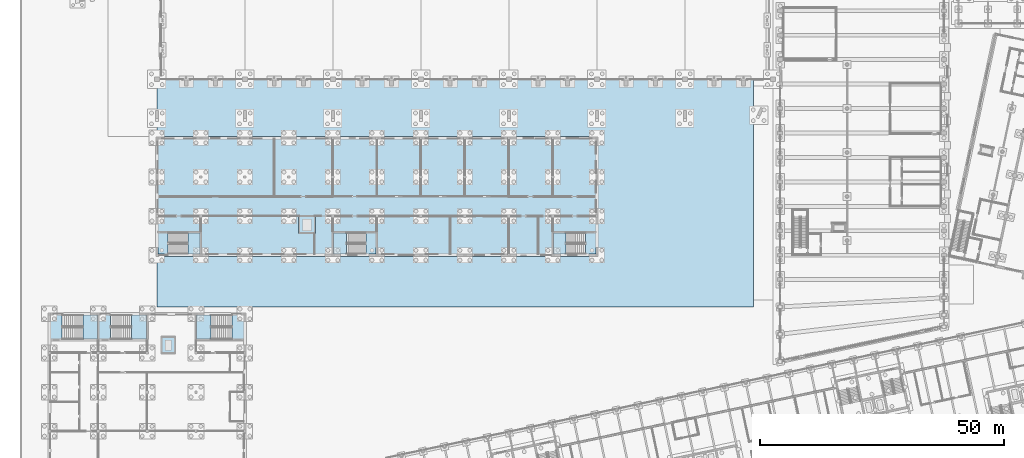
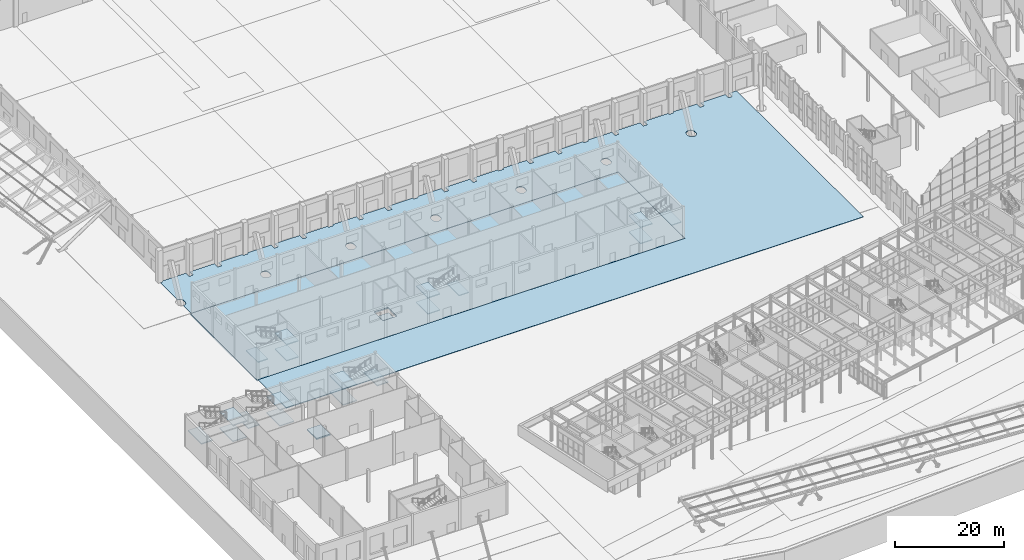
# One storey, part 143 of 239: 22 slabs, 6 elements without a shape of their own.
"""IFC4 building model written with IfcOpenShell, lengths in metres."""

from ifc_helpers import new_model, si_unit, direction, frame, origin, place, context, subcontext, project, spatial, polyline, outline, extrude, material, layer, layer_set, type_object, element, aggregate, save


model = new_model("IFC4")

# Units and contexts
model_context = context("Model", 3, precision=1e-05, world=origin(), true_north=direction((0.0, 1.0)))
body_context = subcontext(model_context, "Body", "Model", "MODEL_VIEW")
ifc_project = project(units=[si_unit("LENGTHUNIT", "METRE"), si_unit("AREAUNIT", "SQUARE_METRE"), si_unit("VOLUMEUNIT", "CUBIC_METRE"), si_unit("PLANEANGLEUNIT", "RADIAN"), si_unit("MASSUNIT", "GRAM", prefix="KILO")], contexts=[model_context])

# Site, building, storey
site_placement = place(None, origin())
site = spatial("IfcSite", under=ifc_project, at=site_placement, CompositionType="ELEMENT")
building_placement = place(site_placement, origin())
building = spatial("IfcBuilding", under=site, at=building_placement, Name="Okhra Congress Centre", CompositionType="ELEMENT")
storey_placement = place(building_placement, origin())
storey = spatial("IfcBuildingStorey", under=building, at=storey_placement, Name="L00", CompositionType="ELEMENT", Elevation=0.0)

# Slabs
ifc_material_1 = material(Name="Concrete C30/37", Category="concrete")
ifc_layer_1 = layer(ifc_material_1, 0.14990234375)
ifc_layer_set_1 = layer_set([ifc_layer_1], Name="Paving slab 150 C30/37")
slab_type_1 = type_object("IfcSlabType", Name="Paving slab 150 C30/37", PredefinedType="BASESLAB", material=ifc_layer_set_1)
slab_1_placement = place(storey_placement, frame((0.0, 0.0, -0.14990234375)))
element("IfcSlab", 1, at=slab_1_placement, inside=storey, type_object=slab_type_1, Name="Service Lane Apron paving", PredefinedType="BASESLAB", context=body_context, shape_type="SweptSolid", body=[
    extrude(outline(polyline([(28.0, 120.235107421875), (118.235107421875, 120.235107421875), (118.235107421875, 95.764892578125), (28.0, 95.764892578125), (28.0, 85.39990234375), (150.0, 85.39990234375), (150.0, 131.840087890625), (148.409912109375, 131.840087890625), (148.409912109375, 130.639892578125), (147.590087890625, 130.639892578125), (147.590087890625, 131.840087890625), (142.409912109375, 131.840087890625), (142.409912109375, 130.639892578125), (141.590087890625, 130.639892578125), (141.590087890625, 131.840087890625), (136.510009765625, 131.840087890625), (136.510009765625, 131.489990234375), (135.489990234375, 131.489990234375), (135.489990234375, 131.840087890625), (130.409912109375, 131.840087890625), (130.409912109375, 130.639892578125), (129.590087890625, 130.639892578125), (129.590087890625, 131.840087890625), (124.409912109375, 131.840087890625), (124.409912109375, 130.639892578125), (123.590087890625, 130.639892578125), (123.590087890625, 131.840087890625), (118.510009765625, 131.840087890625), (118.510009765625, 131.489990234375), (117.489990234375, 131.489990234375), (117.489990234375, 131.840087890625), (112.409912109375, 131.840087890625), (112.409912109375, 130.639892578125), (111.590087890625, 130.639892578125), (111.590087890625, 131.840087890625), (106.409912109375, 131.840087890625), (106.409912109375, 130.639892578125), (105.590087890625, 130.639892578125), (105.590087890625, 131.840087890625), (100.510009765625, 131.840087890625), (100.510009765625, 131.489990234375), (99.489990234375, 131.489990234375), (99.489990234375, 131.840087890625), (94.409912109375, 131.840087890625), (94.409912109375, 130.639892578125), (93.590087890625, 130.639892578125), (93.590087890625, 131.840087890625), (88.409912109375, 131.840087890625), (88.409912109375, 130.639892578125), (87.590087890625, 130.639892578125), (87.590087890625, 131.840087890625), (82.510009765625, 131.840087890625), (82.510009765625, 131.489990234375), (81.489990234375, 131.489990234375), (81.489990234375, 131.840087890625), (76.409912109375, 131.840087890625), (76.409912109375, 130.639892578125), (75.590087890625, 130.639892578125), (75.590087890625, 131.840087890625), (70.409912109375, 131.840087890625), (70.409912109375, 130.639892578125), (69.590087890625, 130.639892578125), (69.590087890625, 131.840087890625), (64.510009765625, 131.840087890625), (64.510009765625, 131.489990234375), (63.489990234375, 131.489990234375), (63.489990234375, 131.840087890625), (58.409912109375, 131.840087890625), (58.409912109375, 130.639892578125), (57.590087890625, 130.639892578125), (57.590087890625, 131.840087890625), (52.409912109375, 131.840087890625), (52.409912109375, 130.639892578125), (51.590087890625, 130.639892578125), (51.590087890625, 131.840087890625), (46.510009765625, 131.840087890625), (46.510009765625, 131.489990234375), (45.489990234375, 131.489990234375), (45.489990234375, 131.840087890625), (40.409912109375, 131.840087890625), (40.409912109375, 130.639892578125), (39.590087890625, 130.639892578125), (39.590087890625, 131.840087890625), (34.409912109375, 131.840087890625), (34.409912109375, 130.639892578125), (33.590087890625, 130.639892578125), (33.590087890625, 131.840087890625), (28.510009765625, 131.840087890625), (28.510009765625, 131.489990234375), (28.0, 131.489990234375), (28.0, 125.259521484375), (28.167724609375, 125.234619140625), (28.24951171875, 125.214111328125), (28.3291015625, 125.185546875), (28.405517578125, 125.149658203125), (28.477783203125, 125.106201171875), (28.545654296875, 125.055908203125), (28.608154296875, 124.999267578125), (28.664794921875, 124.936767578125), (28.715087890625, 124.868896484375), (28.758544921875, 124.79638671875), (28.79443359375, 124.72021484375), (28.822998046875, 124.640625), (28.843505859375, 124.558837890625), (28.85595703125, 124.475341796875), (28.860107421875, 124.391357421875), (28.860107421875, 123.983154296875), (28.85595703125, 123.899169921875), (28.843505859375, 123.815673828125), (28.822998046875, 123.73388671875), (28.79443359375, 123.654296875), (28.758544921875, 123.578125), (28.715087890625, 123.505615234375), (28.664794921875, 123.43798828125), (28.608154296875, 123.37548828125), (28.545654296875, 123.318603515625), (28.477783203125, 123.268310546875), (28.405517578125, 123.22509765625), (28.3291015625, 123.18896484375), (28.24951171875, 123.160400390625), (28.167724609375, 123.139892578125), (28.0, 123.114990234375), (28.0, 120.235107421875)]), holes=[polyline([(135.335205078125, 124.936767578125), (135.284912109375, 124.868896484375), (135.241455078125, 124.79638671875), (135.20556640625, 124.72021484375), (135.177001953125, 124.640625), (135.156494140625, 124.558837890625), (135.14404296875, 124.475341796875), (135.139892578125, 124.391357421875), (135.139892578125, 123.983154296875), (135.14404296875, 123.899169921875), (135.156494140625, 123.815673828125), (135.177001953125, 123.73388671875), (135.20556640625, 123.654296875), (135.241455078125, 123.578125), (135.284912109375, 123.505615234375), (135.335205078125, 123.43798828125), (135.391845703125, 123.37548828125), (135.454345703125, 123.318603515625), (135.522216796875, 123.268310546875), (135.594482421875, 123.22509765625), (135.6708984375, 123.18896484375), (135.75048828125, 123.160400390625), (135.832275390625, 123.139892578125), (135.915771484375, 123.127685546875), (136.0, 123.12353515625), (136.084228515625, 123.127685546875), (136.167724609375, 123.139892578125), (136.24951171875, 123.160400390625), (136.3291015625, 123.18896484375), (136.405517578125, 123.22509765625), (136.477783203125, 123.268310546875), (136.545654296875, 123.318603515625), (136.608154296875, 123.37548828125), (136.664794921875, 123.43798828125), (136.715087890625, 123.505615234375), (136.758544921875, 123.578125), (136.79443359375, 123.654296875), (136.822998046875, 123.73388671875), (136.843505859375, 123.815673828125), (136.85595703125, 123.899169921875), (136.860107421875, 123.983154296875), (136.860107421875, 124.391357421875), (136.85595703125, 124.475341796875), (136.843505859375, 124.558837890625), (136.822998046875, 124.640625), (136.79443359375, 124.72021484375), (136.758544921875, 124.79638671875), (136.715087890625, 124.868896484375), (136.664794921875, 124.936767578125), (136.608154296875, 124.999267578125), (136.545654296875, 125.055908203125), (136.477783203125, 125.106201171875), (136.405517578125, 125.149658203125), (136.3291015625, 125.185546875), (136.24951171875, 125.214111328125), (136.167724609375, 125.234619140625), (136.084228515625, 125.2470703125), (136.0, 125.251220703125), (135.915771484375, 125.2470703125), (135.832275390625, 125.234619140625), (135.75048828125, 125.214111328125), (135.6708984375, 125.185546875), (135.594482421875, 125.149658203125), (135.522216796875, 125.106201171875), (135.454345703125, 125.055908203125), (135.391845703125, 124.999267578125), (135.335205078125, 124.936767578125)]), polyline([(117.335205078125, 124.936767578125), (117.284912109375, 124.868896484375), (117.241455078125, 124.79638671875), (117.20556640625, 124.72021484375), (117.177001953125, 124.640625), (117.156494140625, 124.558837890625), (117.14404296875, 124.475341796875), (117.139892578125, 124.391357421875), (117.139892578125, 123.983154296875), (117.14404296875, 123.899169921875), (117.156494140625, 123.815673828125), (117.177001953125, 123.73388671875), (117.20556640625, 123.654296875), (117.241455078125, 123.578125), (117.284912109375, 123.505615234375), (117.335205078125, 123.43798828125), (117.391845703125, 123.37548828125), (117.454345703125, 123.318603515625), (117.522216796875, 123.268310546875), (117.594482421875, 123.22509765625), (117.6708984375, 123.18896484375), (117.75048828125, 123.160400390625), (117.832275390625, 123.139892578125), (117.915771484375, 123.127685546875), (118.0, 123.12353515625), (118.084228515625, 123.127685546875), (118.167724609375, 123.139892578125), (118.24951171875, 123.160400390625), (118.3291015625, 123.18896484375), (118.405517578125, 123.22509765625), (118.477783203125, 123.268310546875), (118.545654296875, 123.318603515625), (118.608154296875, 123.37548828125), (118.664794921875, 123.43798828125), (118.715087890625, 123.505615234375), (118.758544921875, 123.578125), (118.79443359375, 123.654296875), (118.822998046875, 123.73388671875), (118.843505859375, 123.815673828125), (118.85595703125, 123.899169921875), (118.860107421875, 123.983154296875), (118.860107421875, 124.391357421875), (118.85595703125, 124.475341796875), (118.843505859375, 124.558837890625), (118.822998046875, 124.640625), (118.79443359375, 124.72021484375), (118.758544921875, 124.79638671875), (118.715087890625, 124.868896484375), (118.664794921875, 124.936767578125), (118.608154296875, 124.999267578125), (118.545654296875, 125.055908203125), (118.477783203125, 125.106201171875), (118.405517578125, 125.149658203125), (118.3291015625, 125.185546875), (118.24951171875, 125.214111328125), (118.167724609375, 125.234619140625), (118.084228515625, 125.2470703125), (118.0, 125.251220703125), (117.915771484375, 125.2470703125), (117.832275390625, 125.234619140625), (117.75048828125, 125.214111328125), (117.6708984375, 125.185546875), (117.594482421875, 125.149658203125), (117.522216796875, 125.106201171875), (117.454345703125, 125.055908203125), (117.391845703125, 124.999267578125), (117.335205078125, 124.936767578125)]), polyline([(99.335205078125, 124.936767578125), (99.284912109375, 124.868896484375), (99.241455078125, 124.79638671875), (99.20556640625, 124.72021484375), (99.177001953125, 124.640625), (99.156494140625, 124.558837890625), (99.14404296875, 124.475341796875), (99.139892578125, 124.391357421875), (99.139892578125, 123.983154296875), (99.14404296875, 123.899169921875), (99.156494140625, 123.815673828125), (99.177001953125, 123.73388671875), (99.20556640625, 123.654296875), (99.241455078125, 123.578125), (99.284912109375, 123.505615234375), (99.335205078125, 123.43798828125), (99.391845703125, 123.37548828125), (99.454345703125, 123.318603515625), (99.522216796875, 123.268310546875), (99.594482421875, 123.22509765625), (99.6708984375, 123.18896484375), (99.75048828125, 123.160400390625), (99.832275390625, 123.139892578125), (99.915771484375, 123.127685546875), (100.0, 123.12353515625), (100.084228515625, 123.127685546875), (100.167724609375, 123.139892578125), (100.24951171875, 123.160400390625), (100.3291015625, 123.18896484375), (100.405517578125, 123.22509765625), (100.477783203125, 123.268310546875), (100.545654296875, 123.318603515625), (100.608154296875, 123.37548828125), (100.664794921875, 123.43798828125), (100.715087890625, 123.505615234375), (100.758544921875, 123.578125), (100.79443359375, 123.654296875), (100.822998046875, 123.73388671875), (100.843505859375, 123.815673828125), (100.85595703125, 123.899169921875), (100.860107421875, 123.983154296875), (100.860107421875, 124.391357421875), (100.85595703125, 124.475341796875), (100.843505859375, 124.558837890625), (100.822998046875, 124.640625), (100.79443359375, 124.72021484375), (100.758544921875, 124.79638671875), (100.715087890625, 124.868896484375), (100.664794921875, 124.936767578125), (100.608154296875, 124.999267578125), (100.545654296875, 125.055908203125), (100.477783203125, 125.106201171875), (100.405517578125, 125.149658203125), (100.3291015625, 125.185546875), (100.24951171875, 125.214111328125), (100.167724609375, 125.234619140625), (100.084228515625, 125.2470703125), (100.0, 125.251220703125), (99.915771484375, 125.2470703125), (99.832275390625, 125.234619140625), (99.75048828125, 125.214111328125), (99.6708984375, 125.185546875), (99.594482421875, 125.149658203125), (99.522216796875, 125.106201171875), (99.454345703125, 125.055908203125), (99.391845703125, 124.999267578125), (99.335205078125, 124.936767578125)]), polyline([(81.335205078125, 124.936767578125), (81.284912109375, 124.868896484375), (81.241455078125, 124.79638671875), (81.20556640625, 124.72021484375), (81.177001953125, 124.640625), (81.156494140625, 124.558837890625), (81.14404296875, 124.475341796875), (81.139892578125, 124.391357421875), (81.139892578125, 123.983154296875), (81.14404296875, 123.899169921875), (81.156494140625, 123.815673828125), (81.177001953125, 123.73388671875), (81.20556640625, 123.654296875), (81.241455078125, 123.578125), (81.284912109375, 123.505615234375), (81.335205078125, 123.43798828125), (81.391845703125, 123.37548828125), (81.454345703125, 123.318603515625), (81.522216796875, 123.268310546875), (81.594482421875, 123.22509765625), (81.6708984375, 123.18896484375), (81.75048828125, 123.160400390625), (81.832275390625, 123.139892578125), (81.915771484375, 123.127685546875), (82.0, 123.12353515625), (82.084228515625, 123.127685546875), (82.167724609375, 123.139892578125), (82.24951171875, 123.160400390625), (82.3291015625, 123.18896484375), (82.405517578125, 123.22509765625), (82.477783203125, 123.268310546875), (82.545654296875, 123.318603515625), (82.608154296875, 123.37548828125), (82.664794921875, 123.43798828125), (82.715087890625, 123.505615234375), (82.758544921875, 123.578125), (82.79443359375, 123.654296875), (82.822998046875, 123.73388671875), (82.843505859375, 123.815673828125), (82.85595703125, 123.899169921875), (82.860107421875, 123.983154296875), (82.860107421875, 124.391357421875), (82.85595703125, 124.475341796875), (82.843505859375, 124.558837890625), (82.822998046875, 124.640625), (82.79443359375, 124.72021484375), (82.758544921875, 124.79638671875), (82.715087890625, 124.868896484375), (82.664794921875, 124.936767578125), (82.608154296875, 124.999267578125), (82.545654296875, 125.055908203125), (82.477783203125, 125.106201171875), (82.405517578125, 125.149658203125), (82.3291015625, 125.185546875), (82.24951171875, 125.214111328125), (82.167724609375, 125.234619140625), (82.084228515625, 125.2470703125), (82.0, 125.251220703125), (81.915771484375, 125.2470703125), (81.832275390625, 125.234619140625), (81.75048828125, 125.214111328125), (81.6708984375, 125.185546875), (81.594482421875, 125.149658203125), (81.522216796875, 125.106201171875), (81.454345703125, 125.055908203125), (81.391845703125, 124.999267578125), (81.335205078125, 124.936767578125)]), polyline([(63.391845703125, 124.999267578125), (63.335205078125, 124.936767578125), (63.284912109375, 124.868896484375), (63.241455078125, 124.79638671875), (63.20556640625, 124.72021484375), (63.177001953125, 124.640625), (63.156494140625, 124.558837890625), (63.14404296875, 124.475341796875), (63.139892578125, 124.391357421875), (63.139892578125, 123.983154296875), (63.14404296875, 123.899169921875), (63.156494140625, 123.815673828125), (63.177001953125, 123.73388671875), (63.20556640625, 123.654296875), (63.241455078125, 123.578125), (63.284912109375, 123.505615234375), (63.335205078125, 123.43798828125), (63.391845703125, 123.37548828125), (63.454345703125, 123.318603515625), (63.522216796875, 123.268310546875), (63.594482421875, 123.22509765625), (63.6708984375, 123.18896484375), (63.75048828125, 123.160400390625), (63.832275390625, 123.139892578125), (63.915771484375, 123.127685546875), (64.0, 123.12353515625), (64.084228515625, 123.127685546875), (64.167724609375, 123.139892578125), (64.24951171875, 123.160400390625), (64.3291015625, 123.18896484375), (64.405517578125, 123.22509765625), (64.477783203125, 123.268310546875), (64.545654296875, 123.318603515625), (64.608154296875, 123.37548828125), (64.664794921875, 123.43798828125), (64.715087890625, 123.505615234375), (64.758544921875, 123.578125), (64.79443359375, 123.654296875), (64.822998046875, 123.73388671875), (64.843505859375, 123.815673828125), (64.85595703125, 123.899169921875), (64.860107421875, 123.983154296875), (64.860107421875, 124.391357421875), (64.85595703125, 124.475341796875), (64.843505859375, 124.558837890625), (64.822998046875, 124.640625), (64.79443359375, 124.72021484375), (64.758544921875, 124.79638671875), (64.715087890625, 124.868896484375), (64.664794921875, 124.936767578125), (64.608154296875, 124.999267578125), (64.545654296875, 125.055908203125), (64.477783203125, 125.106201171875), (64.405517578125, 125.149658203125), (64.3291015625, 125.185546875), (64.24951171875, 125.214111328125), (64.167724609375, 125.234619140625), (64.084228515625, 125.2470703125), (64.0, 125.251220703125), (63.915771484375, 125.2470703125), (63.832275390625, 125.234619140625), (63.75048828125, 125.214111328125), (63.6708984375, 125.185546875), (63.594482421875, 125.149658203125), (63.522216796875, 125.106201171875), (63.454345703125, 125.055908203125), (63.391845703125, 124.999267578125)]), polyline([(45.335205078125, 124.936767578125), (45.284912109375, 124.868896484375), (45.241455078125, 124.79638671875), (45.20556640625, 124.72021484375), (45.177001953125, 124.640625), (45.156494140625, 124.558837890625), (45.14404296875, 124.475341796875), (45.139892578125, 124.391357421875), (45.139892578125, 123.983154296875), (45.14404296875, 123.899169921875), (45.156494140625, 123.815673828125), (45.177001953125, 123.73388671875), (45.20556640625, 123.654296875), (45.241455078125, 123.578125), (45.284912109375, 123.505615234375), (45.335205078125, 123.43798828125), (45.391845703125, 123.37548828125), (45.454345703125, 123.318603515625), (45.522216796875, 123.268310546875), (45.594482421875, 123.22509765625), (45.6708984375, 123.18896484375), (45.75048828125, 123.160400390625), (45.832275390625, 123.139892578125), (45.915771484375, 123.127685546875), (46.0, 123.12353515625), (46.084228515625, 123.127685546875), (46.167724609375, 123.139892578125), (46.24951171875, 123.160400390625), (46.3291015625, 123.18896484375), (46.405517578125, 123.22509765625), (46.477783203125, 123.268310546875), (46.545654296875, 123.318603515625), (46.608154296875, 123.37548828125), (46.664794921875, 123.43798828125), (46.715087890625, 123.505615234375), (46.758544921875, 123.578125), (46.79443359375, 123.654296875), (46.822998046875, 123.73388671875), (46.843505859375, 123.815673828125), (46.85595703125, 123.899169921875), (46.860107421875, 123.983154296875), (46.860107421875, 124.391357421875), (46.85595703125, 124.475341796875), (46.843505859375, 124.558837890625), (46.822998046875, 124.640625), (46.79443359375, 124.72021484375), (46.758544921875, 124.79638671875), (46.715087890625, 124.868896484375), (46.664794921875, 124.936767578125), (46.608154296875, 124.999267578125), (46.545654296875, 125.055908203125), (46.477783203125, 125.106201171875), (46.405517578125, 125.149658203125), (46.3291015625, 125.185546875), (46.24951171875, 125.214111328125), (46.167724609375, 125.234619140625), (46.084228515625, 125.2470703125), (46.0, 125.251220703125), (45.915771484375, 125.2470703125), (45.832275390625, 125.234619140625), (45.75048828125, 125.214111328125), (45.6708984375, 125.185546875), (45.594482421875, 125.149658203125), (45.522216796875, 125.106201171875), (45.454345703125, 125.055908203125), (45.391845703125, 124.999267578125), (45.335205078125, 124.936767578125)])]), origin(), (0.0, 0.0, 1.0), 0.14990234375),
])
ifc_material_2 = material(Name="Concrete C25/30", Category="concrete")
ifc_layer_2 = layer(ifc_material_2, 0.300048828125)
ifc_layer_set_2 = layer_set([ifc_layer_2], Name="RC ground slab 300 REI 120 C25/30")
slab_type_2 = type_object("IfcSlabType", Name="RC ground slab 300 REI 120 C25/30", PredefinedType="BASESLAB", material=ifc_layer_set_2)
slab_2_placement = place(storey_placement, frame((0.0, 0.0, -0.300048828125)))
element("IfcSlab", 2, at=slab_2_placement, inside=storey, type_object=slab_type_2, Name="Ground slab", PredefinedType="BASESLAB", context=body_context, shape_type="SweptSolid", body=[
    extrude(outline(polyline([(118.22509765625, 95.77490234375), (118.22509765625, 120.22509765625), (27.77490234375, 120.22509765625), (27.77490234375, 95.77490234375), (118.22509765625, 95.77490234375)]), holes=[polyline([(57.25, 100.64990234375), (60.14990234375, 100.64990234375), (60.14990234375, 103.875), (57.25, 103.875), (57.25, 100.64990234375)])]), origin(), (0.0, 0.0, 1.0), 0.300048828125),
])
slab_3_placement = place(storey_placement, frame((0.0, 0.0, -1.699951171875)))
element("IfcSlab", 3, at=slab_3_placement, inside=storey, type_object=slab_type_2, Name="Lift pit floor", PredefinedType="BASESLAB", context=body_context, shape_type="SweptSolid", body=[
    extrude(outline(polyline([(57.0, 100.39990234375), (60.39990234375, 100.39990234375), (60.39990234375, 104.125), (57.0, 104.125), (57.0, 100.39990234375)])), origin(), (0.0, 0.0, 1.0), 0.300048828125),
])
slab_4_placement = place(storey_placement, frame((0.0, 0.0, -1.699951171875)))
element("IfcSlab", 4, at=slab_4_placement, inside=storey, type_object=slab_type_2, Name="Lift pit floor", PredefinedType="BASESLAB", context=body_context, shape_type="SweptSolid", body=[
    extrude(outline(polyline([(28.875, 75.875), (31.77490234375, 75.875), (31.77490234375, 79.375), (28.875, 79.375), (28.875, 75.875)])), origin(), (0.0, 0.0, 1.0), 0.300048828125),
])

# Stair, slabs
stair_type_1 = type_object("IfcStairType", Name="Escape stair 2100 wide, 44 risers of 163.6", PredefinedType="HALF_TURN_STAIR", material=ifc_material_1)
stair_1_placement = place(storey_placement, origin())
stair_1 = element("IfcStair", 5, at=stair_1_placement, inside=storey, type_object=stair_type_1, Name="L00 Stair A", PredefinedType="HALF_TURN_STAIR")
ifc_layer_3 = layer(ifc_material_1, 0.199951171875)
ifc_layer_set_3 = layer_set([ifc_layer_3], Name="RC stair landing 200 C30/37")
slab_type_3 = type_object("IfcSlabType", Name="RC stair landing 200 C30/37", PredefinedType="LANDING", material=ifc_layer_set_3)
slab_5_placement = place(storey_placement, frame((0.0, 0.0, 1.60009765625)))
slab_5 = element("IfcSlab", 6, at=slab_5_placement, type_object=slab_type_3, Name="A landing 1", PredefinedType="LANDING", context=body_context, shape_type="SweptSolid", body=[
    extrude(outline(polyline([(34.324951171875, 96.22509765625), (36.85009765625, 96.22509765625), (36.85009765625, 100.574951171875), (34.324951171875, 100.574951171875), (34.324951171875, 96.22509765625)])), origin(), (0.0, 0.0, 1.0), 0.199951171875),
])
slab_6_placement = place(storey_placement, frame((0.0, 0.0, 3.39990234375)))
slab_6 = element("IfcSlab", 7, at=slab_6_placement, type_object=slab_type_3, Name="A landing 2", PredefinedType="LANDING", context=body_context, shape_type="SweptSolid", body=[
    extrude(outline(polyline([(28.22509765625, 96.22509765625), (30.324951171875, 96.22509765625), (30.324951171875, 100.574951171875), (28.22509765625, 100.574951171875), (28.22509765625, 96.22509765625)])), origin(), (0.0, 0.0, 1.0), 0.2001953125),
])
slab_7_placement = place(storey_placement, frame((0.0, 0.0, 5.199951171875)))
slab_7 = element("IfcSlab", 8, at=slab_7_placement, type_object=slab_type_3, Name="A landing 3", PredefinedType="LANDING", context=body_context, shape_type="SweptSolid", body=[
    extrude(outline(polyline([(34.324951171875, 96.22509765625), (36.85009765625, 96.22509765625), (36.85009765625, 100.574951171875), (34.324951171875, 100.574951171875), (34.324951171875, 96.22509765625)])), origin(), (0.0, 0.0, 1.0), 0.199951171875),
])
aggregate(stair_1, [slab_5, slab_6, slab_7])

stair_2_placement = place(storey_placement, origin())
stair_2 = element("IfcStair", 9, at=stair_2_placement, inside=storey, type_object=stair_type_1, Name="L00 Stair B", PredefinedType="HALF_TURN_STAIR")
slab_8_placement = place(storey_placement, frame((0.0, 0.0, 1.60009765625)))
slab_8 = element("IfcSlab", 10, at=slab_8_placement, type_object=slab_type_3, Name="B landing 1", PredefinedType="LANDING", context=body_context, shape_type="SweptSolid", body=[
    extrude(outline(polyline([(66.75, 100.574951171875), (64.14990234375, 100.574951171875), (64.14990234375, 96.22509765625), (66.75, 96.22509765625), (66.75, 100.574951171875)])), origin(), (0.0, 0.0, 1.0), 0.199951171875),
])
slab_9_placement = place(storey_placement, frame((0.0, 0.0, 3.39990234375)))
slab_9 = element("IfcSlab", 11, at=slab_9_placement, type_object=slab_type_3, Name="B landing 2", PredefinedType="LANDING", context=body_context, shape_type="SweptSolid", body=[
    extrude(outline(polyline([(72.85009765625, 100.574951171875), (70.75, 100.574951171875), (70.75, 96.22509765625), (72.85009765625, 96.22509765625), (72.85009765625, 100.574951171875)])), origin(), (0.0, 0.0, 1.0), 0.2001953125),
])
slab_10_placement = place(storey_placement, frame((0.0, 0.0, 5.199951171875)))
slab_10 = element("IfcSlab", 12, at=slab_10_placement, type_object=slab_type_3, Name="B landing 3", PredefinedType="LANDING", context=body_context, shape_type="SweptSolid", body=[
    extrude(outline(polyline([(66.75, 100.574951171875), (64.14990234375, 100.574951171875), (64.14990234375, 96.22509765625), (66.75, 96.22509765625), (66.75, 100.574951171875)])), origin(), (0.0, 0.0, 1.0), 0.199951171875),
])
aggregate(stair_2, [slab_8, slab_9, slab_10])

stair_3_placement = place(storey_placement, origin())
stair_3 = element("IfcStair", 13, at=stair_3_placement, inside=storey, type_object=stair_type_1, Name="L00 Stair C", PredefinedType="HALF_TURN_STAIR")
slab_11_placement = place(storey_placement, frame((0.0, 0.0, 1.60009765625)))
slab_11 = element("IfcSlab", 14, at=slab_11_placement, type_object=slab_type_3, Name="C landing 1", PredefinedType="LANDING", context=body_context, shape_type="SweptSolid", body=[
    extrude(outline(polyline([(111.675048828125, 100.574951171875), (109.14990234375, 100.574951171875), (109.14990234375, 96.22509765625), (111.675048828125, 96.22509765625), (111.675048828125, 100.574951171875)])), origin(), (0.0, 0.0, 1.0), 0.199951171875),
])
slab_12_placement = place(storey_placement, frame((0.0, 0.0, 3.39990234375)))
slab_12 = element("IfcSlab", 15, at=slab_12_placement, type_object=slab_type_3, Name="C landing 2", PredefinedType="LANDING", context=body_context, shape_type="SweptSolid", body=[
    extrude(outline(polyline([(117.77490234375, 100.574951171875), (115.675048828125, 100.574951171875), (115.675048828125, 96.22509765625), (117.77490234375, 96.22509765625), (117.77490234375, 100.574951171875)])), origin(), (0.0, 0.0, 1.0), 0.2001953125),
])
slab_13_placement = place(storey_placement, frame((0.0, 0.0, 5.199951171875)))
slab_13 = element("IfcSlab", 16, at=slab_13_placement, type_object=slab_type_3, Name="C landing 3", PredefinedType="LANDING", context=body_context, shape_type="SweptSolid", body=[
    extrude(outline(polyline([(111.675048828125, 100.574951171875), (109.14990234375, 100.574951171875), (109.14990234375, 96.22509765625), (111.675048828125, 96.22509765625), (111.675048828125, 100.574951171875)])), origin(), (0.0, 0.0, 1.0), 0.199951171875),
])
aggregate(stair_3, [slab_11, slab_12, slab_13])

stair_type_2 = type_object("IfcStairType", Name="Escape stair 2400 wide, 44 risers of 163.6", PredefinedType="HALF_TURN_STAIR", material=ifc_material_1)
stair_4_placement = place(storey_placement, origin())
stair_4 = element("IfcStair", 17, at=stair_4_placement, inside=storey, type_object=stair_type_2, Name="L00 Stair R1", PredefinedType="HALF_TURN_STAIR")
slab_14_placement = place(storey_placement, frame((0.0, 0.0, 1.60009765625)))
slab_14 = element("IfcSlab", 18, at=slab_14_placement, type_object=slab_type_3, Name="R1 landing 1", PredefinedType="LANDING", context=body_context, shape_type="SweptSolid", body=[
    extrude(outline(polyline([(12.925048828125, 78.824951171875), (15.85009765625, 78.824951171875), (15.85009765625, 83.77490234375), (12.925048828125, 83.77490234375), (12.925048828125, 78.824951171875)])), origin(), (0.0, 0.0, 1.0), 0.199951171875),
])
slab_15_placement = place(storey_placement, frame((0.0, 0.0, 3.39990234375)))
slab_15 = element("IfcSlab", 19, at=slab_15_placement, type_object=slab_type_3, Name="R1 landing 2", PredefinedType="LANDING", context=body_context, shape_type="SweptSolid", body=[
    extrude(outline(polyline([(6.22509765625, 78.824951171875), (8.625, 78.824951171875), (8.625, 83.77490234375), (6.22509765625, 83.77490234375), (6.22509765625, 78.824951171875)])), origin(), (0.0, 0.0, 1.0), 0.2001953125),
])
slab_16_placement = place(storey_placement, frame((0.0, 0.0, 5.199951171875)))
slab_16 = element("IfcSlab", 20, at=slab_16_placement, type_object=slab_type_3, Name="R1 landing 3", PredefinedType="LANDING", context=body_context, shape_type="SweptSolid", body=[
    extrude(outline(polyline([(12.925048828125, 78.824951171875), (15.85009765625, 78.824951171875), (15.85009765625, 83.77490234375), (12.925048828125, 83.77490234375), (12.925048828125, 78.824951171875)])), origin(), (0.0, 0.0, 1.0), 0.199951171875),
])
aggregate(stair_4, [slab_14, slab_15, slab_16])

stair_5_placement = place(storey_placement, origin())
stair_5 = element("IfcStair", 21, at=stair_5_placement, inside=storey, type_object=stair_type_2, Name="L00 Stair R3", PredefinedType="HALF_TURN_STAIR")
slab_17_placement = place(storey_placement, frame((0.0, 0.0, 1.60009765625)))
slab_17 = element("IfcSlab", 22, at=slab_17_placement, type_object=slab_type_3, Name="R3 landing 1", PredefinedType="LANDING", context=body_context, shape_type="SweptSolid", body=[
    extrude(outline(polyline([(22.85009765625, 78.824951171875), (25.85009765625, 78.824951171875), (25.85009765625, 83.77490234375), (22.85009765625, 83.77490234375), (22.85009765625, 78.824951171875)])), origin(), (0.0, 0.0, 1.0), 0.199951171875),
])
slab_18_placement = place(storey_placement, frame((0.0, 0.0, 3.39990234375)))
slab_18 = element("IfcSlab", 23, at=slab_18_placement, type_object=slab_type_3, Name="R3 landing 2", PredefinedType="LANDING", context=body_context, shape_type="SweptSolid", body=[
    extrude(outline(polyline([(16.14990234375, 78.824951171875), (18.550048828125, 78.824951171875), (18.550048828125, 83.77490234375), (16.14990234375, 83.77490234375), (16.14990234375, 78.824951171875)])), origin(), (0.0, 0.0, 1.0), 0.2001953125),
])
slab_19_placement = place(storey_placement, frame((0.0, 0.0, 5.199951171875)))
slab_19 = element("IfcSlab", 24, at=slab_19_placement, type_object=slab_type_3, Name="R3 landing 3", PredefinedType="LANDING", context=body_context, shape_type="SweptSolid", body=[
    extrude(outline(polyline([(22.85009765625, 78.824951171875), (25.85009765625, 78.824951171875), (25.85009765625, 83.77490234375), (22.85009765625, 83.77490234375), (22.85009765625, 78.824951171875)])), origin(), (0.0, 0.0, 1.0), 0.199951171875),
])
aggregate(stair_5, [slab_17, slab_18, slab_19])

stair_6_placement = place(storey_placement, origin())
stair_6 = element("IfcStair", 25, at=stair_6_placement, inside=storey, type_object=stair_type_2, Name="L00 Stair R2", PredefinedType="HALF_TURN_STAIR")
slab_20_placement = place(storey_placement, frame((0.0, 0.0, 1.60009765625)))
slab_20 = element("IfcSlab", 26, at=slab_20_placement, type_object=slab_type_3, Name="R2 landing 1", PredefinedType="LANDING", context=body_context, shape_type="SweptSolid", body=[
    extrude(outline(polyline([(39.074951171875, 83.77490234375), (36.14990234375, 83.77490234375), (36.14990234375, 78.824951171875), (39.074951171875, 78.824951171875), (39.074951171875, 83.77490234375)])), origin(), (0.0, 0.0, 1.0), 0.199951171875),
])
slab_21_placement = place(storey_placement, frame((0.0, 0.0, 3.39990234375)))
slab_21 = element("IfcSlab", 27, at=slab_21_placement, type_object=slab_type_3, Name="R2 landing 2", PredefinedType="LANDING", context=body_context, shape_type="SweptSolid", body=[
    extrude(outline(polyline([(45.77490234375, 83.77490234375), (43.375, 83.77490234375), (43.375, 78.824951171875), (45.77490234375, 78.824951171875), (45.77490234375, 83.77490234375)])), origin(), (0.0, 0.0, 1.0), 0.2001953125),
])
slab_22_placement = place(storey_placement, frame((0.0, 0.0, 5.199951171875)))
slab_22 = element("IfcSlab", 28, at=slab_22_placement, type_object=slab_type_3, Name="R2 landing 3", PredefinedType="LANDING", context=body_context, shape_type="SweptSolid", body=[
    extrude(outline(polyline([(39.074951171875, 83.77490234375), (36.14990234375, 83.77490234375), (36.14990234375, 78.824951171875), (39.074951171875, 78.824951171875), (39.074951171875, 83.77490234375)])), origin(), (0.0, 0.0, 1.0), 0.199951171875),
])
aggregate(stair_6, [slab_20, slab_21, slab_22])

save(model, "model.ifc")
